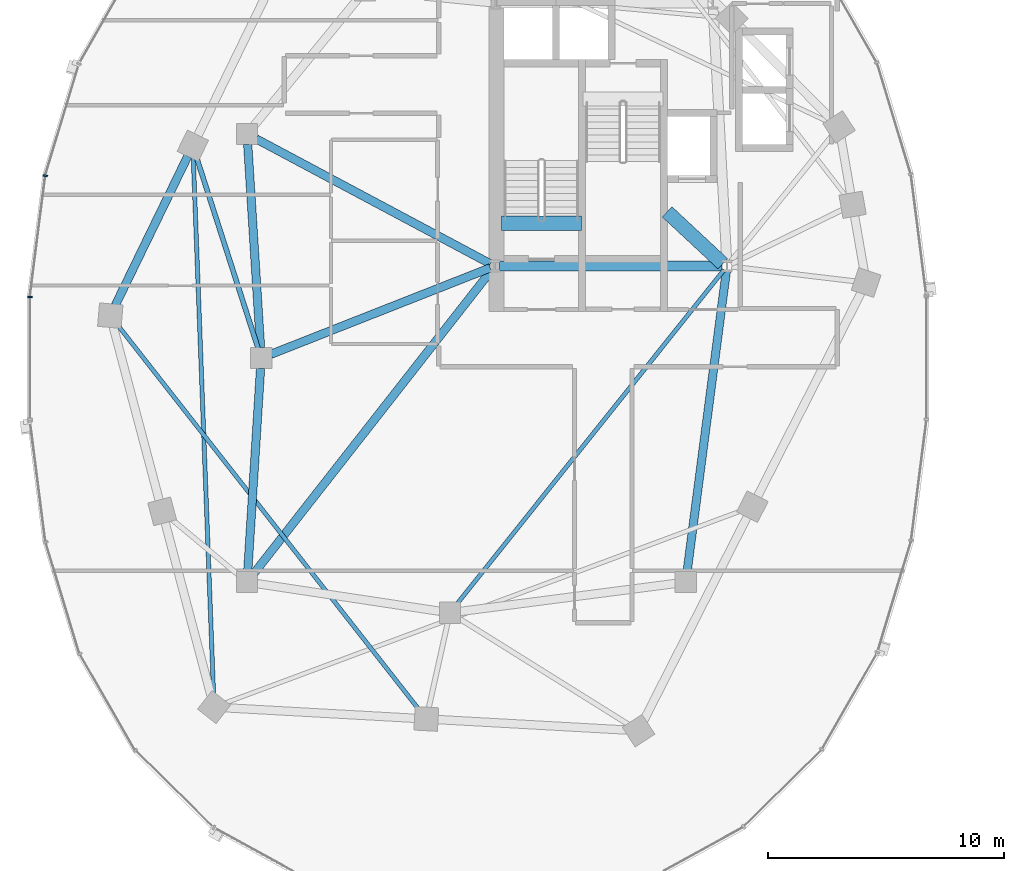
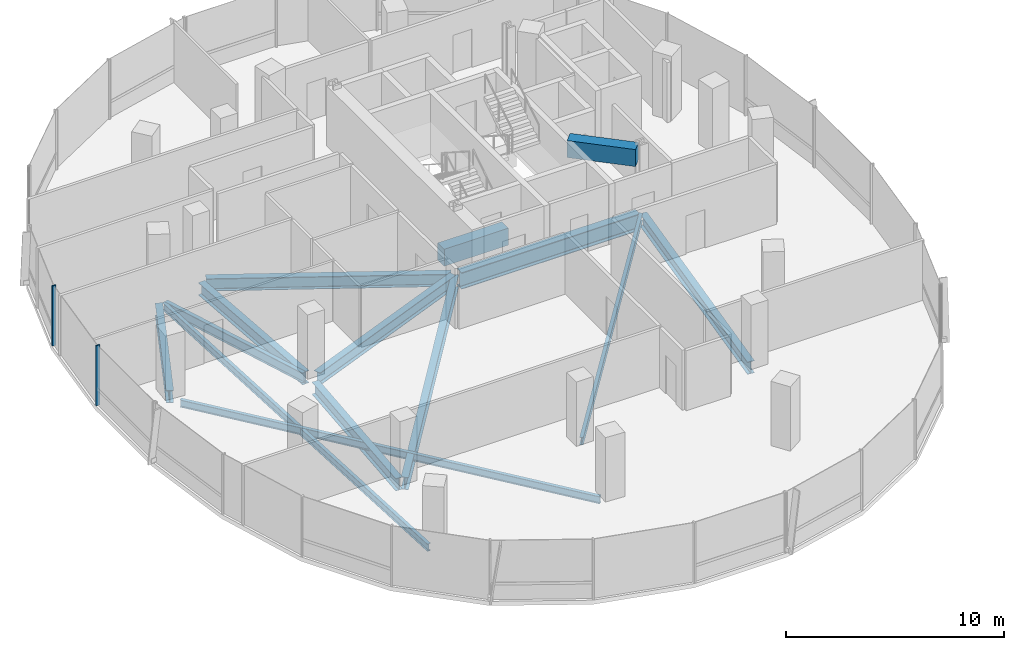
# One storey, part 3 of 22: 14 beams, 2 members, 1 element without a shape of its own.
"""IFC4 building model written with IfcOpenShell, lengths in metres."""

import ifcopenshell
import ifcopenshell.guid

model = None  # the IFC model being written
_history = None  # IfcOwnerHistory: only IFC2X3 demands one
_inside = {}  # id of a spatial element -> (the spatial element, [elements in it])
_under = {}  # id of a project, library or spatial element -> (it, [spatial elements below it])
_declared = {}  # id of a project -> (the project, [libraries it declares])
_typed = {}  # id of a type object -> (the type object, [elements of that type])
_made_of = {}  # id of a material, layer set ... -> (it, [elements and type objects made of it])


def new_model(schema):
    """Start an empty IFC model of exactly this schema.

    Asked for "IFC4X3", IfcOpenShell would pick the latest addendum, in which some entities
    have other attributes; the version numbers below select the first issue.
    IFC2X3 requires an IfcOwnerHistory on every rooted entity: one is made here for all.
    """
    global model, _history
    if schema == "IFC4X3":
        model = ifcopenshell.file(schema_version=(4, 3, 0, 0))
    else:
        model = ifcopenshell.file(schema=schema)
    _inside.clear()
    _under.clear()
    _declared.clear()
    _typed.clear()
    _made_of.clear()
    _history = None
    if model.schema == "IFC2X3":
        org = make("IfcOrganization", Name="unknown")
        user = make(
            "IfcPersonAndOrganization",
            ThePerson=make("IfcPerson", FamilyName="unknown"),
            TheOrganization=org,
        )
        app = make(
            "IfcApplication",
            ApplicationDeveloper=org,
            Version="unknown",
            ApplicationFullName="unknown",
            ApplicationIdentifier="unknown",
        )
        _history = make(
            "IfcOwnerHistory",
            OwningUser=user,
            OwningApplication=app,
            ChangeAction="ADDED",
            CreationDate=0,
        )
    return model


def make(cls, **values):
    """One entity of the class cls with the attributes given. An attribute that is None is left unset."""
    return model.create_entity(
        cls, **{name: value for name, value in values.items() if value is not None}
    )


def rooted(cls, **values):
    """An entity with a GlobalId (a new one), such as an element, a storey or a relation."""
    return make(cls, GlobalId=ifcopenshell.guid.new(), OwnerHistory=_history, **values)


def si_unit(unit_type, name, prefix=None):
    """IfcSIUnit, for example si_unit("LENGTHUNIT", "METRE", prefix="MILLI")."""
    return make("IfcSIUnit", UnitType=unit_type, Prefix=prefix, Name=name)


def assignment(units):
    """IfcUnitAssignment: the units of a project."""
    return None if units is None else make("IfcUnitAssignment", Units=units)


def point(xyz):
    """IfcCartesianPoint."""
    return None if xyz is None else make("IfcCartesianPoint", Coordinates=xyz)


def direction(xyz):
    """IfcDirection."""
    return None if xyz is None else make("IfcDirection", DirectionRatios=xyz)


def frame(location, z_axis=None, x_axis=None):
    """IfcAxis2Placement3D, a coordinate frame: its origin and axes. An axis left out is left unset."""
    return make(
        "IfcAxis2Placement3D",
        Location=point(location),
        Axis=direction(z_axis),
        RefDirection=direction(x_axis),
    )


def frame_2d(location, x_axis=None):
    """IfcAxis2Placement2D, a coordinate frame in the plane: its origin and x axis."""
    return make(
        "IfcAxis2Placement2D", Location=point(location), RefDirection=direction(x_axis)
    )


def origin():
    """The frame at (0, 0, 0) with its axes left unset."""
    return frame((0.0, 0.0, 0.0))


def origin_2d():
    """The frame at (0, 0) in the plane with its x axis left unset."""
    return frame_2d((0.0, 0.0))


def place(relative_to, where):
    """IfcLocalPlacement: puts the frame where relative to a parent placement (None: the world)."""
    return make(
        "IfcLocalPlacement", PlacementRelTo=relative_to, RelativePlacement=where
    )


def context(
    kind, dimensions, precision=None, world=None, true_north=None, identifier=None
):
    """IfcGeometricRepresentationContext, for example the 3D "Model" context."""
    return make(
        "IfcGeometricRepresentationContext",
        ContextIdentifier=identifier,
        ContextType=kind,
        CoordinateSpaceDimension=dimensions,
        Precision=precision,
        WorldCoordinateSystem=world,
        TrueNorth=true_north,
    )


def subcontext(parent, identifier, kind, view, scale=None):
    """IfcGeometricRepresentationSubContext, for example "Body" below "Model"."""
    return make(
        "IfcGeometricRepresentationSubContext",
        ContextIdentifier=identifier,
        ContextType=kind,
        ParentContext=parent,
        TargetScale=scale,
        TargetView=view,
    )


def project(units=None, contexts=None):
    """IfcProject with its units and contexts."""
    return rooted(
        "IfcProject",
        Name="project",
        RepresentationContexts=contexts,
        UnitsInContext=assignment(units),
    )


def spatial(cls, under=None, at=None, **own):
    """A site, building, storey or space (cls), placed at a placement, below another one or the project."""
    s = rooted(cls, ObjectPlacement=at, **own)
    if under is not None:
        _under.setdefault(under.id(), (under, []))[1].append(s)
    return s


def profile(cls, at=None, kind="AREA", **sizes):
    """A parametric profile (cls). Its sizes go by their IFC names, for example OverallWidth=200.0."""
    return make(cls, ProfileType=kind, Position=at, **sizes)


def rectangle(**sizes):
    """IfcRectangleProfileDef."""
    return profile("IfcRectangleProfileDef", **sizes)


def i_section(**sizes):
    """IfcIShapeProfileDef."""
    return profile("IfcIShapeProfileDef", **sizes)


def extrude(swept, where, along, depth):
    """IfcExtrudedAreaSolid: the profile swept, set in the frame where, extruded along a direction by depth."""
    return make(
        "IfcExtrudedAreaSolid",
        SweptArea=swept,
        Position=where,
        ExtrudedDirection=direction(along),
        Depth=depth,
    )


def shape(context_of_items, identifier, shape_type, items):
    """IfcShapeRepresentation: the items that make up one representation, for example the "Body"."""
    return make(
        "IfcShapeRepresentation",
        ContextOfItems=context_of_items,
        RepresentationIdentifier=identifier,
        RepresentationType=shape_type,
        Items=items,
    )


def material(Name=None, Category=None):
    """IfcMaterial."""
    return make("IfcMaterial", Name=Name, Category=Category)


def material_profile(
    of_material, cross_section, Name=None, Category=None, Priority=None
):
    """IfcMaterialProfile: a cross section and its material."""
    return make(
        "IfcMaterialProfile",
        Name=Name,
        Material=of_material,
        Profile=cross_section,
        Priority=Priority,
        Category=Category,
    )


def profile_set(profiles, Name=None, composite=None):
    """IfcMaterialProfileSet."""
    return make(
        "IfcMaterialProfileSet",
        Name=Name,
        MaterialProfiles=profiles,
        CompositeProfile=composite,
    )


def made_of(thing, what):
    """Note that an element or type object is made of a material, layer set ...; save() writes the relation."""
    if what is not None:
        _made_of.setdefault(what.id(), (what, []))[1].append(thing)
    return thing


def type_object(cls, material=None, **own):
    """A type object (cls), such as IfcWallType, which elements share."""
    return made_of(rooted(cls, **own), material)


def element(
    cls,
    number,
    at=None,
    inside=None,
    cuts=None,
    type_object=None,
    material=None,
    context=None,
    identifier="Body",
    shape_type=None,
    held_by="IfcProductDefinitionShape",
    body=None,
    shapes=None,
    **own,
):
    """One element of the class cls, such as IfcWall. Its Tag is "e" and its number.

    at: its placement. inside: the storey or other place that contains it. cuts: it is an
    opening in that element (IfcRelVoidsElement). A single representation is given by context,
    identifier, shape_type and body (its items); several are given by shapes. held_by: the class
    of the entity that holds the representations. save() writes the other relations.
    """
    e = rooted(cls, Tag="e%d" % number, ObjectPlacement=at, **own)
    if body is not None:
        shapes = [shape(context, identifier, shape_type, body)]
    if shapes is not None:
        e.Representation = make(held_by, Representations=shapes)
    if inside is not None:
        _inside.setdefault(inside.id(), (inside, []))[1].append(e)
    if cuts is not None:
        rooted(
            "IfcRelVoidsElement", RelatingBuildingElement=cuts, RelatedOpeningElement=e
        )
    if type_object is not None:
        _typed.setdefault(type_object.id(), (type_object, []))[1].append(e)
    return made_of(e, material)


def aggregate(whole, parts):
    """IfcRelAggregates: a whole, such as a stair, and the parts it consists of."""
    return rooted("IfcRelAggregates", RelatingObject=whole, RelatedObjects=parts)


def save(model, path):
    """Write the relations noted so far, then the file.

    IfcRelAggregates (storeys below a building ...), IfcRelContainedInSpatialStructure (elements
    in a storey), IfcRelDefinesByType, IfcRelAssociatesMaterial and IfcRelDeclares: one each for
    every whole, place, type object, material and project.
    """
    for whole, parts in _under.values():
        aggregate(whole, parts)
    for where, things in _inside.values():
        rooted(
            "IfcRelContainedInSpatialStructure",
            RelatedElements=things,
            RelatingStructure=where,
        )
    for kind, things in _typed.values():
        rooted("IfcRelDefinesByType", RelatedObjects=things, RelatingType=kind)
    for what, things in _made_of.values():
        rooted("IfcRelAssociatesMaterial", RelatedObjects=things, RelatingMaterial=what)
    for by, libraries in _declared.values():
        rooted("IfcRelDeclares", RelatingContext=by, RelatedDefinitions=libraries)
    model.write(path)


model = new_model("IFC4")

# Units and contexts
model_context = context("Model", 3, precision=1e-05, world=origin(), true_north=direction((0.0, 1.0)))
body_context = subcontext(model_context, "Body", "Model", "MODEL_VIEW")
ifc_project = project(units=[si_unit("LENGTHUNIT", "METRE"), si_unit("AREAUNIT", "SQUARE_METRE"), si_unit("VOLUMEUNIT", "CUBIC_METRE"), si_unit("PLANEANGLEUNIT", "RADIAN"), si_unit("MASSUNIT", "GRAM", prefix="KILO"), si_unit("THERMODYNAMICTEMPERATUREUNIT", "KELVIN"), si_unit("POWERUNIT", "WATT")], contexts=[model_context])

# Site, building, storey
site_placement = place(None, origin())
site = spatial("IfcSite", under=ifc_project, at=site_placement, CompositionType="ELEMENT")
building_placement = place(site_placement, origin())
building = spatial("IfcBuilding", under=site, at=building_placement, Name="Cundina Bronze Exchange", CompositionType="ELEMENT")
storey_placement = place(building_placement, frame((0.0, 0.0, 154.800048828125)))
storey = spatial("IfcBuildingStorey", under=building, at=storey_placement, Name="L40", CompositionType="ELEMENT", Elevation=154.800048828125)

# Beams
ifc_material_1 = material(Name="Concrete C60/75", Category="concrete")
ifc_material_profile_1 = material_profile(ifc_material_1, rectangle(XDim=0.60009765625, YDim=0.949951171875, at=origin_2d()), Name="RC600X950", Category="concrete")
ifc_profile_set_1 = profile_set([ifc_material_profile_1], Name="Concrete C60/75")
beam_type_1 = type_object("IfcBeamType", Name="BM-COUP-RC950", PredefinedType="LINTEL", material=ifc_profile_set_1)
beam_1_placement = place(storey_placement, frame((-31.02001953125, 5.719970703125, -0.47509765625), z_axis=(1.0, 0.0, 0.0), x_axis=(0.0, 1.0, 0.0)))
element("IfcBeam", 1, at=beam_1_placement, inside=storey, type_object=beam_type_1, Name="L40 Stair W1 Landing Header Beam", PredefinedType="LINTEL", context=body_context, shape_type="SweptSolid", body=[
    extrude(rectangle(XDim=0.60009765625, YDim=0.949951171875, at=origin_2d()), origin(), (0.0, 0.0, 1.0), 3.39990234375),
])
beam_2_placement = place(storey_placement, frame((-23.989990234375, 6.199951171875, 2.885009765625), z_axis=(0.731490439815, -0.681851696822, 0.0), x_axis=(0.681851696822, 0.731490439815, 0.0)))
element("IfcBeam", 2, at=beam_2_placement, inside=storey, type_object=beam_type_1, Name="L40 W Core Shear Coupling Lintel Beam", PredefinedType="LINTEL", context=body_context, shape_type="SweptSolid", body=[
    extrude(rectangle(XDim=0.60009765625, YDim=0.949951171875, at=origin_2d()), origin(), (0.0, 0.0, 1.0), 3.226318359375),
])
ifc_material_2 = material(Name="Steel ASTM A992 Grade 50", Category="steel")
ifc_material_profile_2 = material_profile(ifc_material_2, i_section(OverallWidth=0.2119140625, OverallDepth=0.5439453125, WebThickness=0.01318359375, FlangeThickness=0.021240234375, FilletRadius=0.013916015625, at=origin_2d()), Name="W21X83", Category="steel")
ifc_profile_set_2 = profile_set([ifc_material_profile_2], Name="Steel ASTM A992 Grade 50")
beam_type_2 = type_object("IfcBeamType", Name="BM-FLR-W21A", PredefinedType="BEAM", material=ifc_profile_set_2)
beam_3_placement = place(storey_placement, frame((-41.334228515625, 0.4169921875, -0.511962890625), z_axis=(-0.30669751302, 0.951807036908, 0.0), x_axis=(-0.951807036908, -0.30669751302, 0.0)))
element("IfcBeam", 3, at=beam_3_placement, inside=storey, type_object=beam_type_2, Name="L40 Leg W Radial Floor Beam 07", PredefinedType="BEAM", context=body_context, shape_type="SweptSolid", body=[
    extrude(i_section(OverallWidth=0.2119140625, OverallDepth=0.5439453125, WebThickness=0.01318359375, FlangeThickness=0.021240234375, FilletRadius=0.013916015625, at=origin_2d()), origin(), (0.0, 0.0, 1.0), 8.529541015625),
])
ifc_material_profile_3 = material_profile(ifc_material_2, i_section(OverallWidth=0.178955078125, OverallDepth=0.409912109375, WebThickness=0.0087890625, FlangeThickness=0.014404296875, FilletRadius=0.010986328125, at=origin_2d()), Name="W16X45", Category="steel")
ifc_profile_set_3 = profile_set([ifc_material_profile_3], Name="Steel ASTM A992 Grade 50")
beam_type_3 = type_object("IfcBeamType", Name="BM-JST-W16", PredefinedType="JOIST", material=ifc_profile_set_3)
beam_4_placement = place(storey_placement, frame((-21.577392578125, 3.740478515625, -0.445068359375), z_axis=(-0.624370675223, -0.781128196854, 0.0), x_axis=(0.781128196854, -0.624370675223, 0.0)))
element("IfcBeam", 4, at=beam_4_placement, inside=storey, type_object=beam_type_3, Name="L40 W Interior Core-to-Ring Joist 2", PredefinedType="JOIST", context=body_context, shape_type="SweptSolid", body=[
    extrude(i_section(OverallWidth=0.178955078125, OverallDepth=0.409912109375, WebThickness=0.0087890625, FlangeThickness=0.014404296875, FilletRadius=0.010986328125, at=origin_2d()), origin(), (0.0, 0.0, 1.0), 18.177001953125),
])
beam_5_placement = place(storey_placement, frame((-44.08154296875, 8.51220703125, -0.445068359375), z_axis=(0.037784933381, -0.999285894431, 0.0), x_axis=(0.999285894431, 0.037784933381, 0.0)))
element("IfcBeam", 5, at=beam_5_placement, inside=storey, type_object=beam_type_3, Name="L40 Leg W Lobe Floor Joist 07-10", PredefinedType="JOIST", context=body_context, shape_type="SweptSolid", body=[
    extrude(i_section(OverallWidth=0.178955078125, OverallDepth=0.409912109375, WebThickness=0.0087890625, FlangeThickness=0.014404296875, FilletRadius=0.010986328125, at=origin_2d()), origin(), (0.0, 0.0, 1.0), 22.8408203125),
])
beam_6_placement = place(storey_placement, frame((-47.299072265625, 1.416015625, -0.445068359375), z_axis=(0.616801484103, -0.787118751656, 0.0), x_axis=(0.787118751656, 0.616801484103, 0.0)))
element("IfcBeam", 6, at=beam_6_placement, inside=storey, type_object=beam_type_3, Name="L40 Leg W Lobe Floor Joist 08-11", PredefinedType="JOIST", context=body_context, shape_type="SweptSolid", body=[
    extrude(i_section(OverallWidth=0.178955078125, OverallDepth=0.409912109375, WebThickness=0.0087890625, FlangeThickness=0.014404296875, FilletRadius=0.010986328125, at=origin_2d()), origin(), (0.0, 0.0, 1.0), 20.7490234375),
])
ifc_material_profile_4 = material_profile(ifc_material_2, i_section(OverallWidth=0.35498046875, OverallDepth=0.695068359375, WebThickness=0.015380859375, FlangeThickness=0.02490234375, FilletRadius=0.01806640625, at=origin_2d()), Name="W27X146", Category="steel")
ifc_profile_set_4 = profile_set([ifc_material_profile_4], Name="Steel ASTM A992 Grade 50")
beam_type_4 = type_object("IfcBeamType", Name="BM-RING-W27", PredefinedType="USERDEFINED", material=ifc_profile_set_4)
for number, where, z_axis, x_axis, name in (
    (7, (-41.7724609375, 9.06298828125, -0.587646484375), (0.063046519736, -0.998010589297, 0.0), (0.998010589297, 0.063046519736, 0.0), "L40 W Inner Structural Ring Girder 03"),
    (8, (-41.2275390625, -0.43701171875, -0.587646484375), (-0.063046519736, -0.998010589297, 0.0), (0.998010589297, -0.063046519736, 0.0), "L40 W Inner Structural Ring Girder 04"),
):
    element("IfcBeam", number, at=place(storey_placement, frame(where, z_axis=z_axis, x_axis=x_axis)), inside=storey, type_object=beam_type_4, Name=name, ObjectType="GIRDER", PredefinedType="USERDEFINED", context=body_context, shape_type="SweptSolid", body=[
        extrude(i_section(OverallWidth=0.35498046875, OverallDepth=0.695068359375, WebThickness=0.015380859375, FlangeThickness=0.02490234375, FilletRadius=0.01806640625, at=origin_2d()), origin(), (0.0, 0.0, 1.0), 8.64306640625),
    ])
beam_7_placement = place(storey_placement, frame((-23.143310546875, -9.065673828125, -0.587646484375), z_axis=(0.129507030047, 0.991578503785, 0.0), x_axis=(-0.991578503785, 0.129507030047, 0.0)))
element("IfcBeam", 9, at=beam_7_placement, inside=storey, type_object=beam_type_4, Name="L40 W Inner Structural Ring Girder 07", ObjectType="GIRDER", PredefinedType="USERDEFINED", context=body_context, shape_type="SweptSolid", body=[
    extrude(i_section(OverallWidth=0.35498046875, OverallDepth=0.695068359375, WebThickness=0.015380859375, FlangeThickness=0.02490234375, FilletRadius=0.01806640625, at=origin_2d()), origin(), (0.0, 0.0, 1.0), 12.871826171875),
])
beam_8_placement = place(storey_placement, frame((-31.48974609375, 3.8251953125, -0.587646484375), z_axis=(-0.930405617189, -0.36653156413, 0.0), x_axis=(0.36653156413, -0.930405617189, 0.0)))
element("IfcBeam", 10, at=beam_8_placement, inside=storey, type_object=beam_type_4, Name="L40 W Core-to-Waist Tie Beam 1", ObjectType="GIRDER", PredefinedType="USERDEFINED", context=body_context, shape_type="SweptSolid", body=[
    extrude(i_section(OverallWidth=0.35498046875, OverallDepth=0.695068359375, WebThickness=0.015380859375, FlangeThickness=0.02490234375, FilletRadius=0.01806640625, at=origin_2d()), origin(), (0.0, 0.0, 1.0), 9.99853515625),
])
beam_9_placement = place(storey_placement, frame((-31.47998046875, 3.99609375, -0.587646484375), z_axis=(-0.88235534237, 0.470583733028, 0.0), x_axis=(-0.470583733028, -0.88235534237, 0.0)))
element("IfcBeam", 11, at=beam_9_placement, inside=storey, type_object=beam_type_4, Name="L40 W Core-to-Waist Tie Beam 2", ObjectType="GIRDER", PredefinedType="USERDEFINED", context=body_context, shape_type="SweptSolid", body=[
    extrude(i_section(OverallWidth=0.35498046875, OverallDepth=0.695068359375, WebThickness=0.015380859375, FlangeThickness=0.02490234375, FilletRadius=0.01806640625, at=origin_2d()), origin(), (0.0, 0.0, 1.0), 11.258056640625),
])
beam_10_placement = place(storey_placement, frame((-31.42578125, 3.739501953125, -0.587646484375), z_axis=(-0.616779109924, -0.787136283982, 0.0), x_axis=(0.787136283982, -0.616779109924, 0.0)))
element("IfcBeam", 12, at=beam_10_placement, inside=storey, type_object=beam_type_4, Name="L40 W Core-to-Waist Tie Beam 3", ObjectType="GIRDER", PredefinedType="USERDEFINED", context=body_context, shape_type="SweptSolid", body=[
    extrude(i_section(OverallWidth=0.35498046875, OverallDepth=0.695068359375, WebThickness=0.015380859375, FlangeThickness=0.02490234375, FilletRadius=0.01806640625, at=origin_2d()), origin(), (0.0, 0.0, 1.0), 16.3818359375),
])
beam_11_placement = place(storey_placement, frame((-44.3134765625, 8.56103515625, -0.587646484375), z_axis=(-0.437196998825, -0.89936576776, 0.0), x_axis=(0.89936576776, -0.437196998825, 0.0)))
element("IfcBeam", 13, at=beam_11_placement, inside=storey, type_object=beam_type_4, Name="L40 W Perimeter Ring Girder 07", ObjectType="GIRDER", PredefinedType="USERDEFINED", context=body_context, shape_type="SweptSolid", body=[
    extrude(i_section(OverallWidth=0.35498046875, OverallDepth=0.695068359375, WebThickness=0.015380859375, FlangeThickness=0.02490234375, FilletRadius=0.01806640625, at=origin_2d()), origin(), (0.0, 0.0, 1.0), 7.029541015625),
])
ifc_material_profile_5 = material_profile(ifc_material_2, i_section(OverallWidth=0.41796875, OverallDepth=0.927001953125, WebThickness=0.019287109375, FlangeThickness=0.031982421875, FilletRadius=0.02392578125, at=origin_2d()), Name="W36X231", Category="steel")
ifc_profile_set_5 = profile_set([ifc_material_profile_5], Name="Steel ASTM A992 Grade 50")
beam_type_5 = type_object("IfcBeamType", Name="BM-WRN-W36B", PredefinedType="USERDEFINED", material=ifc_profile_set_5)
beam_12_placement = place(storey_placement, frame((-31.095947265625, 3.89990234375, -0.70361328125), z_axis=(1.0, 0.0, 0.0), x_axis=(0.0, 1.0, 0.0)))
element("IfcBeam", 14, at=beam_12_placement, inside=storey, type_object=beam_type_5, Name="L40 W Core Perimeter Tie Girder 1", ObjectType="GIRDER", PredefinedType="USERDEFINED", context=body_context, shape_type="SweptSolid", body=[
    extrude(i_section(OverallWidth=0.41796875, OverallDepth=0.927001953125, WebThickness=0.019287109375, FlangeThickness=0.031982421875, FilletRadius=0.02392578125, at=origin_2d()), origin(), (0.0, 0.0, 1.0), 9.44189453125),
])

# Curtain wall, members
ifc_material_3 = material(Name="Anodised Bronze Aluminium 6063-T6", Category="aluminium")
curtain_wall_type = type_object("IfcCurtainWallType", Name="CWS-WST-PIN", PredefinedType="NOTDEFINED", material=ifc_material_3)
curtain_wall_placement = place(storey_placement, origin())
curtain_wall = element("IfcCurtainWall", 15, at=curtain_wall_placement, inside=storey, type_object=curtain_wall_type, Name="L40 CW-04 Curtain Wall Run CWR-L40-W2", PredefinedType="NOTDEFINED")
ifc_material_profile_6 = material_profile(ifc_material_3, rectangle(XDim=0.070068359375, YDim=0.18994140625, at=origin_2d()), Name="AL70X190", Category="aluminium")
ifc_profile_set_6 = profile_set([ifc_material_profile_6], Name="Anodised Bronze Aluminium 6063-T6")
member_type = type_object("IfcMemberType", Name="CWM-MUL-190", PredefinedType="MULLION", material=ifc_profile_set_6)
member_1_placement = place(storey_placement, frame((-50.357177734375, 7.731689453125, 0.0), z_axis=(0.0, 0.0, 1.0), x_axis=(-0.126545236492, -0.991960837494, 0.0)))
member_1 = element("IfcMember", 16, at=member_1_placement, type_object=member_type, Name="CW-04 Mullion 6", PredefinedType="MULLION", context=body_context, shape_type="SweptSolid", body=[
    extrude(rectangle(XDim=0.070068359375, YDim=0.18994140625, at=origin_2d()), origin(), (0.0, 0.0, 1.0), 3.35986328125),
])
member_2_placement = place(storey_placement, frame((-51.007080078125, 2.593017578125, 0.0), z_axis=(0.0, 0.0, 1.0), x_axis=(0.0, -1.0, 0.0)))
member_2 = element("IfcMember", 17, at=member_2_placement, type_object=member_type, Name="CW-04 Mullion 7", PredefinedType="MULLION", context=body_context, shape_type="SweptSolid", body=[
    extrude(rectangle(XDim=0.070068359375, YDim=0.18994140625, at=origin_2d()), origin(), (0.0, 0.0, 1.0), 3.35986328125),
])
aggregate(curtain_wall, [member_1, member_2])

save(model, "model.ifc")
